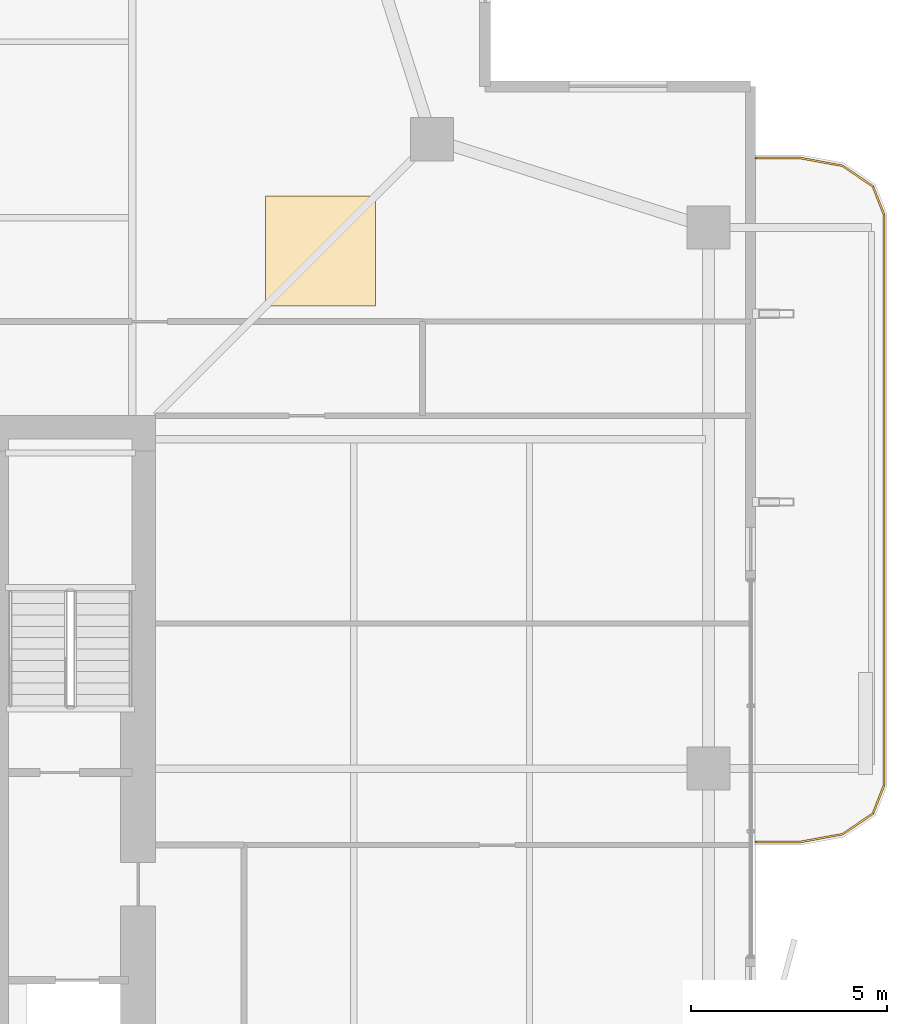
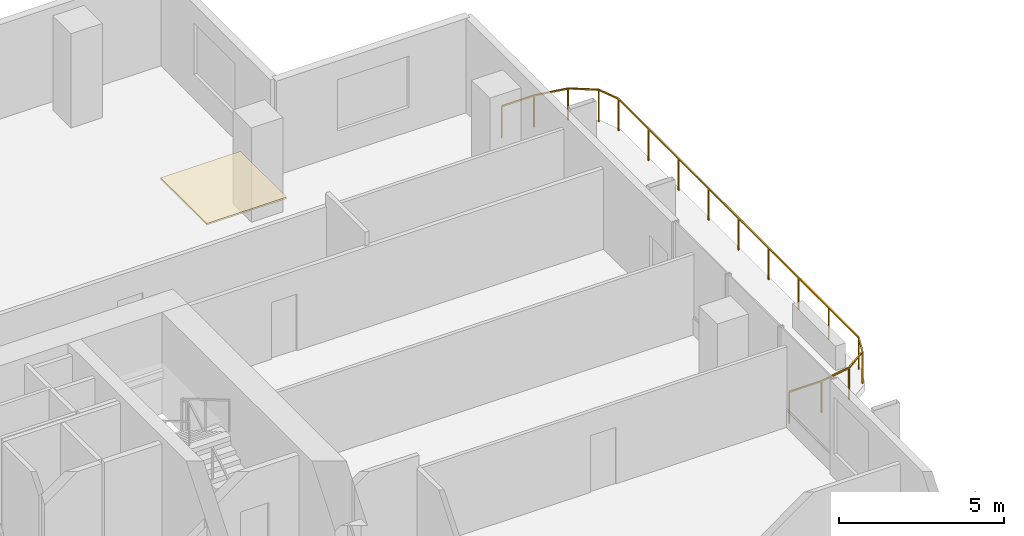
# One storey, part 25 of 25: 1 covering, 1 railing.
"""IFC4 building model written with IfcOpenShell, lengths in metres."""

from ifc_helpers import new_model, si_unit, direction, frame, origin, origin_2d, place, context, subcontext, project, spatial, polyline, rectangle, outline, extrude, material, layer, layer_set, type_object, element, save


model = new_model("IFC4")

# Units and contexts
model_context = context("Model", 3, precision=1e-05, world=origin(), true_north=direction((0.0, 1.0)))
body_context = subcontext(model_context, "Body", "Model", "MODEL_VIEW")
ifc_project = project(units=[si_unit("LENGTHUNIT", "METRE"), si_unit("AREAUNIT", "SQUARE_METRE"), si_unit("VOLUMEUNIT", "CUBIC_METRE"), si_unit("PLANEANGLEUNIT", "RADIAN"), si_unit("MASSUNIT", "GRAM", prefix="KILO")], contexts=[model_context])

# Site, building, storey
site_placement = place(None, origin())
site = spatial("IfcSite", under=ifc_project, at=site_placement, CompositionType="ELEMENT")
building_placement = place(site_placement, origin())
building = spatial("IfcBuilding", under=site, at=building_placement, Name="Belovzor Exchange Tower", CompositionType="ELEMENT")
storey_placement = place(building_placement, frame((0.0, 0.0, 187.050048828125)))
storey = spatial("IfcBuildingStorey", under=building, at=storey_placement, Name="L46", CompositionType="ELEMENT", Elevation=187.050048828125)

# Railing
ifc_material_1 = material(Name="Stainless Steel and Laminated Safety Glass", Category="steel")
railing_type = type_object("IfcRailingType", Name="Laminated Glass & Stainless Steel Balcony Balustrade 1200", PredefinedType="BALUSTRADE", material=ifc_material_1)
railing_placement = place(storey_placement, frame((53.110107421875, 26.929931640625, 0.0)))
element("IfcRailing", 1, at=railing_placement, inside=storey, type_object=railing_type, Name="GR-1 Balcony Balustrade L46 East", PredefinedType="BALUSTRADE", context=body_context, shape_type="SweptSolid", body=[
    extrude(rectangle(XDim=0.048095703125, YDim=0.048095703125, at=origin_2d()), frame((0.0, 0.0, 1.17578125), z_axis=(1.0, 0.0, 0.0), x_axis=(0.0, 1.0, 0.0)), (0.0, 0.0, 1.0), 1.1328125),
    extrude(rectangle(XDim=0.048095703125, YDim=0.048095703125, at=origin_2d()), frame((1.1328125, 0.0, 1.17578125), z_axis=(0.983651385113, 0.180083182347, 0.0), x_axis=(-0.180083182347, 0.983651385113, 0.0)), (0.0, 0.0, 1.0), 1.093994140625),
    extrude(rectangle(XDim=0.048095703125, YDim=0.048095703125, at=origin_2d()), frame((2.208984375, 0.197021484375, 1.17578125), z_axis=(0.826493025367, 0.56294695933, 0.0), x_axis=(-0.56294695933, 0.826493025367, 0.0)), (0.0, 0.0, 1.0), 0.932861328125),
    extrude(rectangle(XDim=0.048095703125, YDim=0.048095703125, at=origin_2d()), frame((2.97998046875, 0.72216796875, 1.17578125), z_axis=(0.365612923861, 0.930766990125, 0.0), x_axis=(-0.930766990125, 0.365612923861, 0.0)), (0.0, 0.0, 1.0), 0.765869140625),
    extrude(rectangle(XDim=0.048095703125, YDim=0.048095703125, at=origin_2d()), frame((3.260009765625, 1.43505859375, 1.17578125), z_axis=(0.0, 1.0, 0.0), x_axis=(-1.0, 0.0, 0.0)), (0.0, 0.0, 1.0), 14.570068359375),
    extrude(rectangle(XDim=0.048095703125, YDim=0.048095703125, at=origin_2d()), frame((3.260009765625, 16.005126953125, 1.17578125), z_axis=(-0.365612923861, 0.930766990125, 0.0), x_axis=(-0.930766990125, -0.365612923861, 0.0)), (0.0, 0.0, 1.0), 0.765869140625),
    extrude(rectangle(XDim=0.048095703125, YDim=0.048095703125, at=origin_2d()), frame((2.97998046875, 16.718017578125, 1.17578125), z_axis=(-0.826493025367, 0.56294695933, 0.0), x_axis=(-0.56294695933, -0.826493025367, 0.0)), (0.0, 0.0, 1.0), 0.932861328125),
    extrude(rectangle(XDim=0.048095703125, YDim=0.048095703125, at=origin_2d()), frame((2.208984375, 17.2431640625, 1.17578125), z_axis=(-0.983651385113, 0.180083182347, 0.0), x_axis=(-0.180083182347, -0.983651385113, 0.0)), (0.0, 0.0, 1.0), 1.093994140625),
    extrude(rectangle(XDim=0.048095703125, YDim=0.048095703125, at=origin_2d()), frame((1.1328125, 17.440185546875, 1.17578125), z_axis=(-1.0, 0.0, 0.0), x_axis=(0.0, -1.0, 0.0)), (0.0, 0.0, 1.0), 1.1328125),
    extrude(rectangle(XDim=0.0419921875, YDim=0.0419921875, at=origin_2d()), origin(), (0.0, 0.0, 1.0), 1.15185546875),
    extrude(rectangle(XDim=0.0419921875, YDim=0.0419921875, at=origin_2d()), frame((1.1328125, 0.0, 0.0)), (0.0, 0.0, 1.0), 1.15185546875),
    extrude(rectangle(XDim=0.0419921875, YDim=0.0419921875, at=origin_2d()), frame((2.208984375, 0.197021484375, 0.0)), (0.0, 0.0, 1.0), 1.15185546875),
    extrude(rectangle(XDim=0.0419921875, YDim=0.0419921875, at=origin_2d()), frame((2.97998046875, 0.72216796875, 0.0)), (0.0, 0.0, 1.0), 1.15185546875),
    extrude(rectangle(XDim=0.0419921875, YDim=0.0419921875, at=origin_2d()), frame((3.260009765625, 1.43505859375, 0.0)), (0.0, 0.0, 1.0), 1.15185546875),
    extrude(rectangle(XDim=0.0419921875, YDim=0.0419921875, at=origin_2d()), frame((3.260009765625, 3.25634765625, 0.0)), (0.0, 0.0, 1.0), 1.15185546875),
    extrude(rectangle(XDim=0.0419921875, YDim=0.0419921875, at=origin_2d()), frame((3.260009765625, 5.07763671875, 0.0)), (0.0, 0.0, 1.0), 1.15185546875),
    extrude(rectangle(XDim=0.0419921875, YDim=0.0419921875, at=origin_2d()), frame((3.260009765625, 6.89892578125, 0.0)), (0.0, 0.0, 1.0), 1.15185546875),
    extrude(rectangle(XDim=0.0419921875, YDim=0.0419921875, at=origin_2d()), frame((3.260009765625, 8.72021484375, 0.0)), (0.0, 0.0, 1.0), 1.15185546875),
    extrude(rectangle(XDim=0.0419921875, YDim=0.0419921875, at=origin_2d()), frame((3.260009765625, 10.541259765625, 0.0)), (0.0, 0.0, 1.0), 1.15185546875),
    extrude(rectangle(XDim=0.0419921875, YDim=0.0419921875, at=origin_2d()), frame((3.260009765625, 12.362548828125, 0.0)), (0.0, 0.0, 1.0), 1.15185546875),
    extrude(rectangle(XDim=0.0419921875, YDim=0.0419921875, at=origin_2d()), frame((3.260009765625, 14.183837890625, 0.0)), (0.0, 0.0, 1.0), 1.15185546875),
    extrude(rectangle(XDim=0.0419921875, YDim=0.0419921875, at=origin_2d()), frame((3.260009765625, 16.005126953125, 0.0)), (0.0, 0.0, 1.0), 1.15185546875),
    extrude(rectangle(XDim=0.0419921875, YDim=0.0419921875, at=origin_2d()), frame((2.97998046875, 16.718017578125, 0.0)), (0.0, 0.0, 1.0), 1.15185546875),
    extrude(rectangle(XDim=0.0419921875, YDim=0.0419921875, at=origin_2d()), frame((2.208984375, 17.2431640625, 0.0)), (0.0, 0.0, 1.0), 1.15185546875),
    extrude(rectangle(XDim=0.0419921875, YDim=0.0419921875, at=origin_2d()), frame((1.1328125, 17.440185546875, 0.0)), (0.0, 0.0, 1.0), 1.15185546875),
    extrude(rectangle(XDim=0.0419921875, YDim=0.0419921875, at=origin_2d()), frame((0.0, 17.440185546875, 0.0)), (0.0, 0.0, 1.0), 1.15185546875),
])

# Covering
ifc_material_2 = material(Name="Perforated Powder-Coated Aluminium", Category="aluminium")
ifc_layer = layer(ifc_material_2, 0.06005859375)
ifc_layer_set = layer_set([ifc_layer], Name="Perforated Powder-Coated Aluminium")
covering_type = type_object("IfcCoveringType", Name="Perforated Acoustic Metal Tile Suspended Ceiling 60", PredefinedType="CEILING", material=ifc_layer_set)
covering_placement = place(storey_placement, frame((0.0, 0.0, 3.43505859375)))
element("IfcCovering", 2, at=covering_placement, inside=storey, type_object=covering_type, Name="CLG-AC60 Suspended Ceiling CLG-L46-Z2", PredefinedType="CEILING", context=body_context, shape_type="SweptSolid", body=[
    extrude(outline(polyline([(40.60009765625, 40.60009765625), (43.39990234375, 40.60009765625), (43.39990234375, 43.39990234375), (40.60009765625, 43.39990234375), (40.60009765625, 40.60009765625)])), origin(), (0.0, 0.0, 1.0), 0.059814453125),
])

save(model, "model.ifc")
